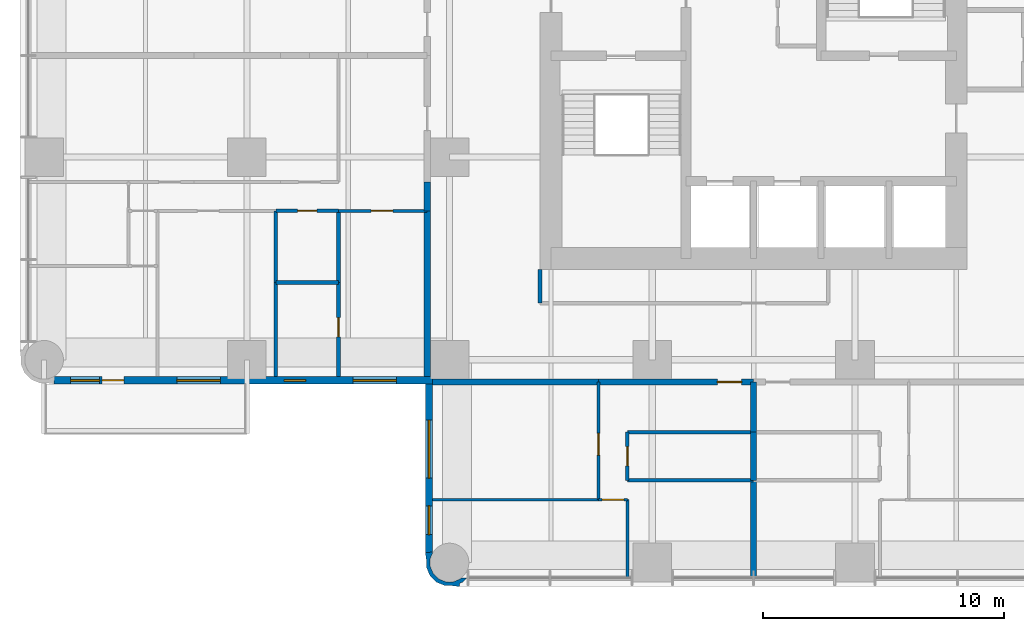
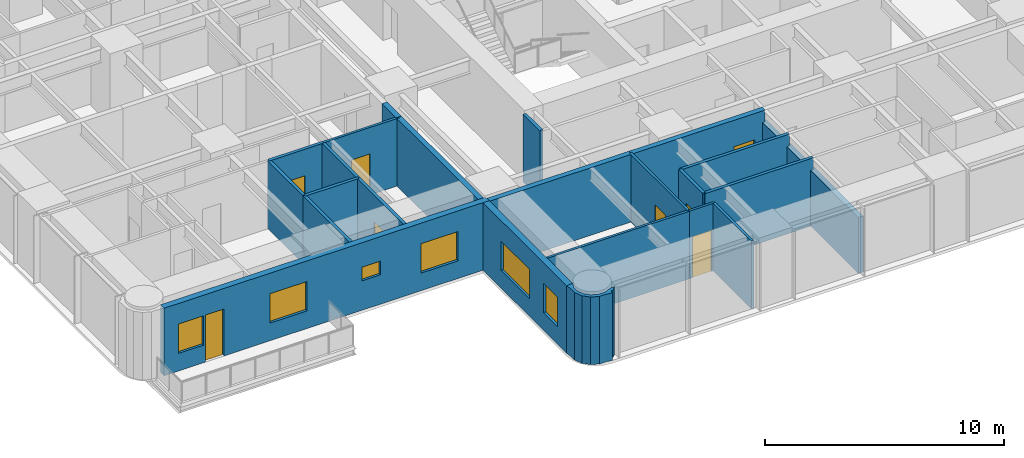
# One storey, part 6 of 14: 25 walls, 8 doors, 6 windows, 14 openings.
"""IFC4 building model written with IfcOpenShell, lengths in metres."""

from ifc_helpers import new_model, si_unit, direction, frame, frame_2d, origin, place, context, subcontext, project, spatial, polyline, rectangle, outline, extrude, material, layer, layer_set, type_object, element, fill, save


model = new_model("IFC4")

# Units and contexts
model_context = context("Model", 3, precision=1e-05, world=origin(), true_north=direction((0.0, 1.0)))
body_context = subcontext(model_context, "Body", "Model", "MODEL_VIEW")
ifc_project = project(units=[si_unit("LENGTHUNIT", "METRE"), si_unit("AREAUNIT", "SQUARE_METRE"), si_unit("VOLUMEUNIT", "CUBIC_METRE"), si_unit("PLANEANGLEUNIT", "RADIAN"), si_unit("MASSUNIT", "GRAM", prefix="KILO")], contexts=[model_context])

# Site, building, storey
site_placement = place(None, origin())
site = spatial("IfcSite", under=ifc_project, at=site_placement, CompositionType="ELEMENT")
building_placement = place(site_placement, origin())
building = spatial("IfcBuilding", under=site, at=building_placement, Name="Torre Alcanfor", CompositionType="ELEMENT")
storey_placement = place(building_placement, frame((0.0, 0.0, 126.89990234375)))
storey = spatial("IfcBuildingStorey", under=building, at=storey_placement, Name="L32", CompositionType="ELEMENT", Elevation=126.89990234375)

# Wall, opening, door
ifc_material_1 = material(Name="Concrete block masonry, hollow blocks NMX-C-404 9 MPa", Category="masonry")
ifc_layer_1 = layer(ifc_material_1, 0.25)
ifc_layer_set_1 = layer_set([ifc_layer_1], Name="Apartment entrance wall 250 EI 60")
wall_type_1 = type_object("IfcWallType", Name="Apartment entrance wall 250 EI 60", PredefinedType="PARTITIONING", material=ifc_layer_set_1)
wall_1_placement = place(storey_placement, frame((29.39990234375, 15.875, 0.0), z_axis=(0.0, 0.0, 1.0), x_axis=(-1.0, 0.0, 0.0)))
wall_1 = element("IfcWall", 1, at=wall_1_placement, inside=storey, type_object=wall_type_1, Name="Partition L32-CORR / L32-S2-LIVING", PredefinedType="PARTITIONING", context=body_context, shape_type="SweptSolid", body=[
    extrude(rectangle(XDim=6.428955078125, YDim=0.25, at=frame_2d((3.21435546875, 0.0))), origin(), (0.0, 0.0, 1.0), 3.4501953125),
])
opening_1_placement = place(wall_1_placement, frame((0.5, 0.0, 0.0)))
opening_1 = element("IfcOpeningElement", 2, at=opening_1_placement, cuts=wall_1, Name="Opening D-A1", PredefinedType="OPENING", context=body_context, shape_type="SweptSolid", body=[
    extrude(rectangle(XDim=1.0, YDim=2.10009765625, at=frame_2d((0.5, 1.050048828125))), frame((0.0, 0.135009765625, 0.0), z_axis=(0.0, -1.0, 0.0), x_axis=(1.0, 0.0, 0.0)), (0.0, 0.0, 1.0), 0.27001953125),
])
ifc_material_2 = material(Name="Galvanised steel sheet ASTM A653", Category="steel")
door_type_1 = type_object("IfcDoorType", Name="Apartment entrance door FD60 1000x2100", OperationType="SINGLE_SWING_LEFT", PredefinedType="DOOR", material=ifc_material_2)
door_1_placement = place(opening_1_placement, origin())
door_1 = element("IfcDoor", 3, at=door_1_placement, inside=storey, type_object=door_type_1, Name="Apartment entrance L32-S2", OperationType="SINGLE_SWING_LEFT", OverallHeight=2.10009765625, OverallWidth=1.0, PredefinedType="DOOR", context=body_context, shape_type="SweptSolid", body=[
    extrude(rectangle(XDim=1.0, YDim=2.10009765625, at=frame_2d((0.5, 1.050048828125))), frame((0.0, 0.02490234375, 0.0), z_axis=(0.0, -1.0, 0.0), x_axis=(1.0, 0.0, 0.0)), (0.0, 0.0, 1.0), 0.050048828125),
])
fill(opening_1, door_1)

# Walls
wall_2_placement = place(storey_placement, frame((22.970947265625, 15.875, 0.0), z_axis=(0.0, 0.0, 1.0), x_axis=(-1.0, 0.0, 0.0)))
element("IfcWall", 4, at=wall_2_placement, inside=storey, type_object=wall_type_1, Name="Partition L32-CORR / L32-S2-BED2", PredefinedType="PARTITIONING", context=body_context, shape_type="SweptSolid", body=[
    extrude(rectangle(XDim=6.870849609375, YDim=0.25, at=frame_2d((3.435546875, 0.0))), origin(), (0.0, 0.0, 1.0), 3.4501953125),
])
wall_3_placement = place(storey_placement, frame((15.875, 22.970947265625, 0.0), z_axis=(0.0, 0.0, 1.0), x_axis=(0.0, 1.0, 0.0)))
element("IfcWall", 5, at=wall_3_placement, inside=storey, type_object=wall_type_1, Name="Partition L32-CORR / L32-W1-HALL", PredefinedType="PARTITIONING", context=body_context, shape_type="SweptSolid", body=[
    extrude(rectangle(XDim=1.199951171875, YDim=0.25, at=frame_2d((0.60009765625, 0.0))), origin(), (0.0, 0.0, 1.0), 3.4501953125),
])
wall_4_placement = place(storey_placement, frame((15.875, 16.10009765625, 0.0), z_axis=(0.0, 0.0, 1.0), x_axis=(0.0, 1.0, 0.0)))
element("IfcWall", 6, at=wall_4_placement, inside=storey, type_object=wall_type_1, Name="Partition L32-CORR / L32-W1-SERV", PredefinedType="PARTITIONING", context=body_context, shape_type="SweptSolid", body=[
    extrude(rectangle(XDim=6.870849609375, YDim=0.25, at=frame_2d((3.435546875, 0.0))), origin(), (0.0, 0.0, 1.0), 3.4501953125),
])

# Wall, opening, door
ifc_material_3 = material(Name="Gypsum board on steel studs", Category="steel")
ifc_layer_2 = layer(ifc_material_3, 0.1201171875)
ifc_layer_set_2 = layer_set([ifc_layer_2], Name="Apartment partition 120")
wall_type_2 = type_object("IfcWallType", Name="Apartment partition 120", PredefinedType="PARTITIONING", material=ifc_layer_set_2)
wall_5_placement = place(storey_placement, frame((22.970947265625, 11.0, 0.0), z_axis=(0.0, 0.0, 1.0), x_axis=(0.0, 1.0, 0.0)))
wall_5 = element("IfcWall", 7, at=wall_5_placement, inside=storey, type_object=wall_type_2, Name="Partition L32-S2-LIVING / L32-S2-BED2", PredefinedType="PARTITIONING", context=body_context, shape_type="SweptSolid", body=[
    extrude(rectangle(XDim=4.875, YDim=0.1201171875, at=frame_2d((2.4375, 0.0))), origin(), (0.0, 0.0, 1.0), 3.4501953125),
])
opening_2_placement = place(wall_5_placement, frame((1.85009765625, 0.0, 0.0)))
opening_2 = element("IfcOpeningElement", 8, at=opening_2_placement, cuts=wall_5, Name="Opening D-R1", PredefinedType="OPENING", context=body_context, shape_type="SweptSolid", body=[
    extrude(rectangle(XDim=0.89990234375, YDim=2.10009765625, at=frame_2d((0.449951171875, 1.050048828125))), frame((0.0, 0.070068359375, 0.0), z_axis=(0.0, -1.0, 0.0), x_axis=(1.0, 0.0, 0.0)), (0.0, 0.0, 1.0), 0.14013671875),
])
ifc_material_4 = material(Name="Timber", Category="wood")
door_type_2 = type_object("IfcDoorType", Name="Internal door 900x2100", OperationType="SINGLE_SWING_LEFT", PredefinedType="DOOR", material=ifc_material_4)
door_2_placement = place(opening_2_placement, origin())
door_2 = element("IfcDoor", 9, at=door_2_placement, inside=storey, type_object=door_type_2, Name="Door L32-S2 bed2", OperationType="SINGLE_SWING_LEFT", OverallHeight=2.10009765625, OverallWidth=0.89990234375, PredefinedType="DOOR", context=body_context, shape_type="SweptSolid", body=[
    extrude(rectangle(XDim=0.89990234375, YDim=2.10009765625, at=frame_2d((0.449951171875, 1.050048828125))), frame((0.0, 0.02490234375, 0.0), z_axis=(0.0, -1.0, 0.0), x_axis=(1.0, 0.0, 0.0)), (0.0, 0.0, 1.0), 0.050048828125),
])
fill(opening_2, door_2)

# Wall
wall_6_placement = place(storey_placement, frame((24.1708984375, 7.75, 0.0), z_axis=(0.0, 0.0, 1.0), x_axis=(0.0, 1.0, 0.0)))
element("IfcWall", 10, at=wall_6_placement, inside=storey, type_object=wall_type_2, Name="Partition L32-S2-LIVING / L32-S2-MASTER", PredefinedType="PARTITIONING", context=body_context, shape_type="SweptSolid", body=[
    extrude(rectangle(XDim=3.25, YDim=0.1201171875, at=frame_2d((1.625, 0.0))), origin(), (0.0, 0.0, 1.0), 3.4501953125),
])

# Wall, opening, door
wall_7_placement = place(storey_placement, frame((24.1708984375, 11.0, 0.0), z_axis=(0.0, 0.0, 1.0), x_axis=(-1.0, 0.0, 0.0)))
wall_7 = element("IfcWall", 11, at=wall_7_placement, inside=storey, type_object=wall_type_2, Name="Partition L32-S2-LIVING / L32-S2-MASTER", PredefinedType="PARTITIONING", context=body_context, shape_type="SweptSolid", body=[
    extrude(rectangle(XDim=1.199951171875, YDim=0.1201171875, at=frame_2d((0.60009765625, 0.0))), origin(), (0.0, 0.0, 1.0), 3.4501953125),
])
opening_3_placement = place(wall_7_placement, frame((0.15087890625, 0.0, 0.0)))
opening_3 = element("IfcOpeningElement", 12, at=opening_3_placement, cuts=wall_7, Name="Opening D-R1", PredefinedType="OPENING", context=body_context, shape_type="SweptSolid", body=[
    extrude(rectangle(XDim=0.89990234375, YDim=2.10009765625, at=frame_2d((0.449951171875, 1.050048828125))), frame((0.0, 0.070068359375, 0.0), z_axis=(0.0, -1.0, 0.0), x_axis=(1.0, 0.0, 0.0)), (0.0, 0.0, 1.0), 0.14013671875),
])
door_3_placement = place(opening_3_placement, origin())
door_3 = element("IfcDoor", 13, at=door_3_placement, inside=storey, type_object=door_type_2, Name="Door L32-S2 master", OperationType="SINGLE_SWING_LEFT", OverallHeight=2.10009765625, OverallWidth=0.89990234375, PredefinedType="DOOR", context=body_context, shape_type="SweptSolid", body=[
    extrude(rectangle(XDim=0.89990234375, YDim=2.10009765625, at=frame_2d((0.449951171875, 1.050048828125))), frame((0.0, 0.02490234375, 0.0), z_axis=(0.0, -1.0, 0.0), x_axis=(1.0, 0.0, 0.0)), (0.0, 0.0, 1.0), 0.050048828125),
])
fill(opening_3, door_3)

# Wall
wall_8_placement = place(storey_placement, frame((22.970947265625, 11.0, 0.0), z_axis=(0.0, 0.0, 1.0), x_axis=(-1.0, 0.0, 0.0)))
element("IfcWall", 14, at=wall_8_placement, inside=storey, type_object=wall_type_2, Name="Partition L32-S2-BED2 / L32-S2-MASTER", PredefinedType="PARTITIONING", context=body_context, shape_type="SweptSolid", body=[
    extrude(rectangle(XDim=6.870849609375, YDim=0.1201171875, at=frame_2d((3.435546875, 0.0))), origin(), (0.0, 0.0, 1.0), 3.4501953125),
])

# Wall, opening, door
wall_9_placement = place(storey_placement, frame((12.199951171875, 22.970947265625, 0.0), z_axis=(0.0, 0.0, 1.0), x_axis=(1.0, 0.0, 0.0)))
wall_9 = element("IfcWall", 15, at=wall_9_placement, inside=storey, type_object=wall_type_2, Name="Partition L32-W1-HALL / L32-W1-SERV", PredefinedType="PARTITIONING", context=body_context, shape_type="SweptSolid", body=[
    extrude(rectangle(XDim=3.675048828125, YDim=0.1201171875, at=frame_2d((1.83740234375, 0.0))), origin(), (0.0, 0.0, 1.0), 3.4501953125),
])
opening_4_placement = place(wall_9_placement, frame((1.35009765625, 0.0, 0.0)))
opening_4 = element("IfcOpeningElement", 16, at=opening_4_placement, cuts=wall_9, Name="Opening D-R1", PredefinedType="OPENING", context=body_context, shape_type="SweptSolid", body=[
    extrude(rectangle(XDim=0.89990234375, YDim=2.10009765625, at=frame_2d((0.449951171875, 1.050048828125))), frame((0.0, 0.070068359375, 0.0), z_axis=(0.0, -1.0, 0.0), x_axis=(1.0, 0.0, 0.0)), (0.0, 0.0, 1.0), 0.14013671875),
])
door_4_placement = place(opening_4_placement, frame((0.89990234375, 0.0, 0.0), z_axis=(0.0, 0.0, 1.0), x_axis=(-1.0, 0.0, 0.0)))
door_4 = element("IfcDoor", 17, at=door_4_placement, inside=storey, type_object=door_type_2, Name="Door L32-W1 serv", OperationType="SINGLE_SWING_RIGHT", OverallHeight=2.10009765625, OverallWidth=0.89990234375, PredefinedType="DOOR", context=body_context, shape_type="SweptSolid", body=[
    extrude(rectangle(XDim=0.89990234375, YDim=2.10009765625, at=frame_2d((0.449951171875, 1.050048828125))), frame((0.0, 0.025146484375, 0.0), z_axis=(0.0, -1.0, 0.0), x_axis=(1.0, 0.0, 0.0)), (0.0, 0.0, 1.0), 0.050048828125),
])
fill(opening_4, door_4)

# Wall, openings, door, windows
ifc_material_5 = material(Name="Limestone cladding", Category="masonry")
ifc_layer_3 = layer(ifc_material_5, 0.0400390625, Name="Facing")
ifc_material_6 = material(Name="Ventilated air cavity")
ifc_layer_4 = layer(ifc_material_6, 0.02001953125, ventilated=True, Name="Ventilated joint")
ifc_material_7 = material(Name="Mineral wool insulation", Category="insulation")
ifc_layer_5 = layer(ifc_material_7, 0.10009765625, Name="Insulation")
ifc_material_8 = material(Name="Concrete f'c 35 MPa", Category="concrete")
ifc_layer_6 = layer(ifc_material_8, 0.139892578125, Name="Backing")
ifc_layer_set_3 = layer_set([ifc_layer_3, ifc_layer_4, ifc_layer_5, ifc_layer_6], Name="External wall stone-clad 300")
wall_type_3 = type_object("IfcWallType", Name="External wall stone-clad 300", PredefinedType="SOLIDWALL", material=ifc_layer_set_3)
wall_10_placement = place(storey_placement, frame((0.39990234375, 15.949951171875, 0.0), z_axis=(0.0, 0.0, 1.0), x_axis=(1.0, 0.0, 0.0)))
wall_10 = element("IfcWall", 18, at=wall_10_placement, inside=storey, type_object=wall_type_3, Name="External wall L32 3", PredefinedType="SOLIDWALL", context=body_context, shape_type="SweptSolid", body=[
    extrude(rectangle(XDim=15.7001953125, YDim=0.300048828125, at=frame_2d((7.85009765625, 0.0))), origin(), (0.0, 0.0, 1.0), 3.4501953125),
])
opening_5_placement = place(wall_10_placement, frame((12.39990234375, 0.0, 0.89990234375)))
opening_5 = element("IfcOpeningElement", 19, at=opening_5_placement, cuts=wall_10, Name="Opening W2", PredefinedType="OPENING", context=body_context, shape_type="SweptSolid", body=[
    extrude(rectangle(XDim=1.800048828125, YDim=1.5, at=frame_2d((0.89990234375, 0.75))), frame((0.0, 0.159912109375, 0.0), z_axis=(0.0, -1.0, 0.0), x_axis=(1.0, 0.0, 0.0)), (0.0, 0.0, 1.0), 0.320068359375),
])
opening_6_placement = place(wall_10_placement, frame((9.550048828125, 0.0, 1.5)))
opening_6 = element("IfcOpeningElement", 20, at=opening_6_placement, cuts=wall_10, Name="Opening W3", PredefinedType="OPENING", context=body_context, shape_type="SweptSolid", body=[
    extrude(rectangle(XDim=0.89990234375, YDim=0.699951171875, at=frame_2d((0.449951171875, 0.35009765625))), frame((0.0, 0.159912109375, 0.0), z_axis=(0.0, -1.0, 0.0), x_axis=(1.0, 0.0, 0.0)), (0.0, 0.0, 1.0), 0.320068359375),
])
opening_7_placement = place(wall_10_placement, frame((5.10009765625, 0.0, 0.89990234375)))
opening_7 = element("IfcOpeningElement", 21, at=opening_7_placement, cuts=wall_10, Name="Opening W2", PredefinedType="OPENING", context=body_context, shape_type="SweptSolid", body=[
    extrude(rectangle(XDim=1.800048828125, YDim=1.5, at=frame_2d((0.89990234375, 0.75))), frame((0.0, 0.159912109375, 0.0), z_axis=(0.0, -1.0, 0.0), x_axis=(1.0, 0.0, 0.0)), (0.0, 0.0, 1.0), 0.320068359375),
])
opening_8_placement = place(wall_10_placement, frame((2.0, 0.0, 0.0)))
opening_8 = element("IfcOpeningElement", 22, at=opening_8_placement, cuts=wall_10, Name="Opening D-B1", PredefinedType="OPENING", context=body_context, shape_type="SweptSolid", body=[
    extrude(rectangle(XDim=0.89990234375, YDim=2.39990234375, at=frame_2d((0.449951171875, 1.199951171875))), frame((0.0, 0.159912109375, 0.0), z_axis=(0.0, -1.0, 0.0), x_axis=(1.0, 0.0, 0.0)), (0.0, 0.0, 1.0), 0.320068359375),
])
opening_9_placement = place(wall_10_placement, frame((0.699951171875, 0.0, 0.89990234375)))
opening_9 = element("IfcOpeningElement", 23, at=opening_9_placement, cuts=wall_10, Name="Opening W4", PredefinedType="OPENING", context=body_context, shape_type="SweptSolid", body=[
    extrude(rectangle(XDim=1.199951171875, YDim=1.5, at=frame_2d((0.60009765625, 0.75))), frame((0.0, 0.159912109375, 0.0), z_axis=(0.0, -1.0, 0.0), x_axis=(1.0, 0.0, 0.0)), (0.0, 0.0, 1.0), 0.320068359375),
])
ifc_material_9 = material(Name="Aluminium and glass", Category="aluminium")
door_type_3 = type_object("IfcDoorType", Name="Balcony door glazed 900x2400", OperationType="SINGLE_SWING_LEFT", PredefinedType="DOOR", material=ifc_material_9)
door_5_placement = place(opening_8_placement, origin())
door_5 = element("IfcDoor", 24, at=door_5_placement, inside=storey, type_object=door_type_3, Name="Balcony door L32-W1", OperationType="SINGLE_SWING_RIGHT", OverallHeight=2.39990234375, OverallWidth=0.89990234375, PredefinedType="DOOR", context=body_context, shape_type="SweptSolid", body=[
    extrude(rectangle(XDim=0.89990234375, YDim=2.39990234375, at=frame_2d((0.449951171875, 1.199951171875))), frame((0.0, 0.02490234375, 0.0), z_axis=(0.0, -1.0, 0.0), x_axis=(1.0, 0.0, 0.0)), (0.0, 0.0, 1.0), 0.050048828125),
])
fill(opening_8, door_5)
ifc_material_10 = material(Name="Aluminium frame with clear double glazing", Category="aluminium")
window_type_1 = type_object("IfcWindowType", Name="Window bathroom 900x700", PartitioningType="SINGLE_PANEL", PredefinedType="WINDOW", material=ifc_material_10)
window_1_placement = place(opening_6_placement, origin())
window_1 = element("IfcWindow", 25, at=window_1_placement, inside=storey, type_object=window_type_1, Name="Window W3 L32-W1", OverallHeight=0.699951171875, OverallWidth=0.89990234375, PartitioningType="SINGLE_PANEL", PredefinedType="WINDOW", context=body_context, shape_type="SweptSolid", body=[
    extrude(rectangle(XDim=0.89990234375, YDim=0.699951171875, at=frame_2d((0.449951171875, 0.35009765625))), frame((0.0, 0.030029296875, 0.0), z_axis=(0.0, -1.0, 0.0), x_axis=(1.0, 0.0, 0.0)), (0.0, 0.0, 1.0), 0.06005859375),
])
fill(opening_6, window_1)
ifc_material_11 = material(Name="Aluminium frame with clear double glazing", Category="aluminium")
window_type_2 = type_object("IfcWindowType", Name="Window bedroom 1200x1500", PartitioningType="SINGLE_PANEL", PredefinedType="WINDOW", material=ifc_material_11)
window_2_placement = place(opening_9_placement, origin())
window_2 = element("IfcWindow", 26, at=window_2_placement, inside=storey, type_object=window_type_2, Name="Window W4 L32-W1", OverallHeight=1.5, OverallWidth=1.199951171875, PartitioningType="SINGLE_PANEL", PredefinedType="WINDOW", context=body_context, shape_type="SweptSolid", body=[
    extrude(rectangle(XDim=1.199951171875, YDim=1.5, at=frame_2d((0.60009765625, 0.75))), frame((0.0, 0.030029296875, 0.0), z_axis=(0.0, -1.0, 0.0), x_axis=(1.0, 0.0, 0.0)), (0.0, 0.0, 1.0), 0.06005859375),
])
fill(opening_9, window_2)
ifc_material_12 = material(Name="Aluminium frame with clear double glazing", Category="aluminium")
window_type_3 = type_object("IfcWindowType", Name="Window bedroom 1800x1500", PartitioningType="SINGLE_PANEL", PredefinedType="WINDOW", material=ifc_material_12)
window_3_placement = place(opening_5_placement, origin())
window_3 = element("IfcWindow", 27, at=window_3_placement, inside=storey, type_object=window_type_3, Name="Window W2 L32-W1", OverallHeight=1.5, OverallWidth=1.800048828125, PartitioningType="SINGLE_PANEL", PredefinedType="WINDOW", context=body_context, shape_type="SweptSolid", body=[
    extrude(rectangle(XDim=1.800048828125, YDim=1.5, at=frame_2d((0.89990234375, 0.75))), frame((0.0, 0.030029296875, 0.0), z_axis=(0.0, -1.0, 0.0), x_axis=(1.0, 0.0, 0.0)), (0.0, 0.0, 1.0), 0.06005859375),
])
fill(opening_5, window_3)
window_4_placement = place(opening_7_placement, origin())
window_4 = element("IfcWindow", 28, at=window_4_placement, inside=storey, type_object=window_type_3, Name="Window W2 L32-W1", OverallHeight=1.5, OverallWidth=1.800048828125, PartitioningType="SINGLE_PANEL", PredefinedType="WINDOW", context=body_context, shape_type="SweptSolid", body=[
    extrude(rectangle(XDim=1.800048828125, YDim=1.5, at=frame_2d((0.89990234375, 0.75))), frame((0.0, 0.030029296875, 0.0), z_axis=(0.0, -1.0, 0.0), x_axis=(1.0, 0.0, 0.0)), (0.0, 0.0, 1.0), 0.06005859375),
])
fill(opening_7, window_4)

# Wall, openings, windows
wall_11_placement = place(storey_placement, frame((15.949951171875, 15.800048828125, 0.0), z_axis=(0.0, 0.0, 1.0), x_axis=(0.0, -1.0, 0.0)))
wall_11 = element("IfcWall", 29, at=wall_11_placement, inside=storey, type_object=wall_type_3, Name="External wall L32 4", PredefinedType="SOLIDWALL", context=body_context, shape_type="SweptSolid", body=[
    extrude(rectangle(XDim=7.0, YDim=0.300048828125, at=frame_2d((3.5, 0.0))), origin(), (0.0, 0.0, 1.0), 3.4501953125),
])
opening_10_placement = place(wall_11_placement, frame((1.5, 0.0, 0.89990234375)))
opening_10 = element("IfcOpeningElement", 30, at=opening_10_placement, cuts=wall_11, Name="Opening W1", PredefinedType="OPENING", context=body_context, shape_type="SweptSolid", body=[
    extrude(rectangle(XDim=2.39990234375, YDim=1.5, at=frame_2d((1.199951171875, 0.75))), frame((0.0, 0.159912109375, 0.0), z_axis=(0.0, -1.0, 0.0), x_axis=(1.0, 0.0, 0.0)), (0.0, 0.0, 1.0), 0.320068359375),
])
opening_11_placement = place(wall_11_placement, frame((5.050048828125, 0.0, 0.89990234375)))
opening_11 = element("IfcOpeningElement", 31, at=opening_11_placement, cuts=wall_11, Name="Opening W4", PredefinedType="OPENING", context=body_context, shape_type="SweptSolid", body=[
    extrude(rectangle(XDim=1.199951171875, YDim=1.5, at=frame_2d((0.60009765625, 0.75))), frame((0.0, 0.159912109375, 0.0), z_axis=(0.0, -1.0, 0.0), x_axis=(1.0, 0.0, 0.0)), (0.0, 0.0, 1.0), 0.320068359375),
])
window_5_placement = place(opening_11_placement, origin())
window_5 = element("IfcWindow", 32, at=window_5_placement, inside=storey, type_object=window_type_2, Name="Window W4 L32-S2", OverallHeight=1.5, OverallWidth=1.199951171875, PartitioningType="SINGLE_PANEL", PredefinedType="WINDOW", context=body_context, shape_type="SweptSolid", body=[
    extrude(rectangle(XDim=1.199951171875, YDim=1.5, at=frame_2d((0.60009765625, 0.75))), frame((0.0, 0.030029296875, 0.0), z_axis=(0.0, -1.0, 0.0), x_axis=(1.0, 0.0, 0.0)), (0.0, 0.0, 1.0), 0.06005859375),
])
fill(opening_11, window_5)
ifc_material_13 = material(Name="Aluminium frame with clear double glazing", Category="aluminium")
window_type_4 = type_object("IfcWindowType", Name="Window bedroom 2400x1500", PartitioningType="SINGLE_PANEL", PredefinedType="WINDOW", material=ifc_material_13)
window_6_placement = place(opening_10_placement, origin())
window_6 = element("IfcWindow", 33, at=window_6_placement, inside=storey, type_object=window_type_4, Name="Window W1 L32-S2", OverallHeight=1.5, OverallWidth=2.39990234375, PartitioningType="SINGLE_PANEL", PredefinedType="WINDOW", context=body_context, shape_type="SweptSolid", body=[
    extrude(rectangle(XDim=2.39990234375, YDim=1.5, at=frame_2d((1.199951171875, 0.75))), frame((0.0, 0.030029296875, 0.0), z_axis=(0.0, -1.0, 0.0), x_axis=(1.0, 0.0, 0.0)), (0.0, 0.0, 1.0), 0.06005859375),
])
fill(opening_10, window_6)

# Walls
ifc_material_14 = material(Name="Concrete block masonry, hollow blocks NMX-C-404 9 MPa", Category="masonry")
ifc_layer_7 = layer(ifc_material_14, 0.25)
ifc_layer_set_4 = layer_set([ifc_layer_7], Name="Party wall 250 EI 60")
wall_type_4 = type_object("IfcWallType", Name="Party wall 250 EI 60", PredefinedType="PARTITIONING", material=ifc_layer_set_4)
wall_12_placement = place(storey_placement, frame((29.39990234375, 13.800048828125, 0.0), z_axis=(0.0, 0.0, 1.0), x_axis=(0.0, -1.0, 0.0)))
element("IfcWall", 34, at=wall_12_placement, inside=storey, type_object=wall_type_4, Name="Partition L32-S1-BATH / L32-S2-BATH", PredefinedType="PARTITIONING", context=body_context, shape_type="SweptSolid", body=[
    extrude(rectangle(XDim=2.0, YDim=0.25, at=frame_2d((1.0, 0.0))), origin(), (0.0, 0.0, 1.0), 2.84814453125),
])
wall_13_placement = place(storey_placement, frame((29.39990234375, 7.75, 0.0), z_axis=(0.0, 0.0, 1.0), x_axis=(0.0, 1.0, 0.0)))
element("IfcWall", 35, at=wall_13_placement, inside=storey, type_object=wall_type_4, Name="Partition L32-S1-LIVING / L32-S2-LIVING", PredefinedType="PARTITIONING", context=body_context, shape_type="SweptSolid", body=[
    extrude(rectangle(XDim=4.050048828125, YDim=0.25, at=frame_2d((2.02490234375, 0.0))), origin(), (0.0, 0.0, 1.0), 2.84814453125),
])
wall_14_placement = place(storey_placement, frame((29.39990234375, 13.800048828125, 0.0), z_axis=(0.0, 0.0, 1.0), x_axis=(0.0, 1.0, 0.0)))
element("IfcWall", 36, at=wall_14_placement, inside=storey, type_object=wall_type_4, Name="Partition L32-S1-LIVING / L32-S2-LIVING", PredefinedType="PARTITIONING", context=body_context, shape_type="SweptSolid", body=[
    extrude(rectangle(XDim=2.074951171875, YDim=0.25, at=frame_2d((1.03759765625, 0.0))), origin(), (0.0, 0.0, 1.0), 2.84814453125),
])
ifc_material_15 = material(Name="Concrete block masonry, hollow blocks NMX-C-404 9 MPa", Category="masonry")
ifc_layer_8 = layer(ifc_material_15, 0.14990234375)
ifc_layer_set_5 = layer_set([ifc_layer_8], Name="Residents' room partition 150")
wall_type_5 = type_object("IfcWallType", Name="Residents' room partition 150", PredefinedType="PARTITIONING", material=ifc_layer_set_5)
wall_15_placement = place(storey_placement, frame((20.550048828125, 20.550048828125, 0.0), z_axis=(0.0, 0.0, 1.0), x_axis=(0.0, -1.0, 0.0)))
element("IfcWall", 37, at=wall_15_placement, inside=storey, type_object=wall_type_5, Name="Partition L32-CORR / L32-G04", PredefinedType="PARTITIONING", context=body_context, shape_type="SweptSolid", body=[
    extrude(rectangle(XDim=1.400146484375, YDim=0.14990234375, at=frame_2d((0.7001953125, 0.0))), origin(), (0.0, 0.0, 1.0), 3.4501953125),
])
ifc_layer_9 = layer(ifc_material_5, 0.0400390625, Name="Facing")
ifc_layer_10 = layer(ifc_material_6, 0.02001953125, ventilated=True, Name="Ventilated joint")
ifc_layer_11 = layer(ifc_material_7, 0.10009765625, Name="Insulation")
ifc_layer_12 = layer(ifc_material_8, 0.139892578125, Name="Backing")
ifc_layer_set_6 = layer_set([ifc_layer_9, ifc_layer_10, ifc_layer_11, ifc_layer_12], Name="Rounded corner pier stone-clad 300")
wall_type_6 = type_object("IfcWallType", Name="Rounded corner pier stone-clad 300", PredefinedType="SOLIDWALL", material=ifc_layer_set_6)
wall_16_placement = place(storey_placement, frame((15.982940512, 8.726823795, 0.0), z_axis=(0.0, 0.0, 1.0), x_axis=(-0.343276641956, -0.93923434088, 0.0)))
element("IfcWall", 38, at=wall_16_placement, inside=storey, type_object=wall_type_6, Name="Corner pier L32 15", PredefinedType="SOLIDWALL", context=body_context, shape_type="SweptSolid", body=[
    extrude(outline(polyline([(0.8285188621172053, 1.5985593448955209), (0.6965961152022397, 1.5690588556644411), (0.6041961706613557, 1.669674810951586), (0.3940973255728224, 1.767303623446145), (0.47128428534856764, 1.55611347990365), (0.5085447362659081, 1.5387992791780876), (0.7240402358503313, 1.3040772160031127), (0.8334093808094493, 1.0048338530031606), (0.8200582319080854, 0.6864716314609828), (0.6857640531711582, 0.3974683020769049), (0.4510419899961833, 0.18197280249248177), (0.15179862699623123, 0.07260365753336384), (-0.11622928371084919, 0.08407628105020303), (-0.1273371975026375, 0.0781969477675098), (-0.14614022874094865, 0.07132471030647711), (-0.0059930226407584886, -0.19691459363495123), (0.26574754989690047, -0.054967852634112954), (0.535410534485363, 0.043590089489965705), (0.8166395849446566, 0.30181686768145743), (0.9775598034528271, 0.6481198820896807), (0.9938114202888776, 1.0296668379252687), (0.8951696703908839, 1.299559127772735), (0.8285188621172053, 1.5985593448955209)])), origin(), (0.0, 0.0, 1.0), 3.4501953125),
])
ifc_material_16 = material(Name="Cement board on steel studs", Category="steel")
ifc_layer_13 = layer(ifc_material_16, 0.14990234375)
ifc_layer_set_7 = layer_set([ifc_layer_13], Name="Wet area partition 150")
wall_type_7 = type_object("IfcWallType", Name="Wet area partition 150", PredefinedType="PARTITIONING", material=ifc_layer_set_7)
wall_17_placement = place(storey_placement, frame((29.39990234375, 11.800048828125, 0.0), z_axis=(0.0, 0.0, 1.0), x_axis=(-1.0, 0.0, 0.0)))
element("IfcWall", 39, at=wall_17_placement, inside=storey, type_object=wall_type_7, Name="Partition L32-S2-BATH / L32-S2-LIVING", PredefinedType="PARTITIONING", context=body_context, shape_type="SweptSolid", body=[
    extrude(rectangle(XDim=5.22900390625, YDim=0.14990234375, at=frame_2d((2.614501953125, 0.0))), origin(), (0.0, 0.0, 1.0), 3.4501953125),
])

# Wall, opening, door
wall_18_placement = place(storey_placement, frame((24.1708984375, 11.800048828125, 0.0), z_axis=(0.0, 0.0, 1.0), x_axis=(0.0, 1.0, 0.0)))
wall_18 = element("IfcWall", 40, at=wall_18_placement, inside=storey, type_object=wall_type_7, Name="Partition L32-S2-BATH / L32-S2-LIVING", PredefinedType="PARTITIONING", context=body_context, shape_type="SweptSolid", body=[
    extrude(rectangle(XDim=2.0, YDim=0.14990234375, at=frame_2d((1.0, 0.0))), origin(), (0.0, 0.0, 1.0), 3.4501953125),
])
opening_12_placement = place(wall_18_placement, frame((0.60009765625, 0.0, 0.0)))
opening_12 = element("IfcOpeningElement", 41, at=opening_12_placement, cuts=wall_18, Name="Opening D-R2", PredefinedType="OPENING", context=body_context, shape_type="SweptSolid", body=[
    extrude(rectangle(XDim=0.800048828125, YDim=2.10009765625, at=frame_2d((0.39990234375, 1.050048828125))), frame((0.0, 0.0849609375, 0.0), z_axis=(0.0, -1.0, 0.0), x_axis=(1.0, 0.0, 0.0)), (0.0, 0.0, 1.0), 0.169921875),
])
ifc_material_17 = material(Name="Timber", Category="wood")
door_type_4 = type_object("IfcDoorType", Name="Bathroom door 800x2100", OperationType="SINGLE_SWING_LEFT", PredefinedType="DOOR", material=ifc_material_17)
door_6_placement = place(opening_12_placement, frame((0.800048828125, 0.0, 0.0), z_axis=(0.0, 0.0, 1.0), x_axis=(-1.0, 0.0, 0.0)))
door_6 = element("IfcDoor", 42, at=door_6_placement, inside=storey, type_object=door_type_4, Name="Door L32-S2 bath", OperationType="SINGLE_SWING_RIGHT", OverallHeight=2.10009765625, OverallWidth=0.800048828125, PredefinedType="DOOR", context=body_context, shape_type="SweptSolid", body=[
    extrude(rectangle(XDim=0.800048828125, YDim=2.10009765625, at=frame_2d((0.400146484375, 1.050048828125))), frame((0.0, 0.025146484375, 0.0), z_axis=(0.0, -1.0, 0.0), x_axis=(1.0, 0.0, 0.0)), (0.0, 0.0, 1.0), 0.050048828125),
])
fill(opening_12, door_6)

# Wall
wall_19_placement = place(storey_placement, frame((24.1708984375, 13.800048828125, 0.0), z_axis=(0.0, 0.0, 1.0), x_axis=(1.0, 0.0, 0.0)))
element("IfcWall", 43, at=wall_19_placement, inside=storey, type_object=wall_type_7, Name="Partition L32-S2-BATH / L32-S2-LIVING", PredefinedType="PARTITIONING", context=body_context, shape_type="SweptSolid", body=[
    extrude(rectangle(XDim=5.22900390625, YDim=0.14990234375, at=frame_2d((2.614501953125, 0.0))), origin(), (0.0, 0.0, 1.0), 3.4501953125),
])

# Wall, opening, door
wall_20_placement = place(storey_placement, frame((9.60009765625, 22.970947265625, 0.0), z_axis=(0.0, 0.0, 1.0), x_axis=(1.0, 0.0, 0.0)))
wall_20 = element("IfcWall", 44, at=wall_20_placement, inside=storey, type_object=wall_type_7, Name="Partition L32-W1-HALL / L32-W1-BATH1", PredefinedType="PARTITIONING", context=body_context, shape_type="SweptSolid", body=[
    extrude(rectangle(XDim=2.599853515625, YDim=0.14990234375, at=frame_2d((1.2998046875, 0.0))), origin(), (0.0, 0.0, 1.0), 3.4501953125),
])
opening_13_placement = place(wall_20_placement, frame((0.89990234375, 0.0, 0.0)))
opening_13 = element("IfcOpeningElement", 45, at=opening_13_placement, cuts=wall_20, Name="Opening D-R2", PredefinedType="OPENING", context=body_context, shape_type="SweptSolid", body=[
    extrude(rectangle(XDim=0.800048828125, YDim=2.10009765625, at=frame_2d((0.39990234375, 1.050048828125))), frame((0.0, 0.0849609375, 0.0), z_axis=(0.0, -1.0, 0.0), x_axis=(1.0, 0.0, 0.0)), (0.0, 0.0, 1.0), 0.169921875),
])
door_7_placement = place(opening_13_placement, frame((0.800048828125, 0.0, 0.0), z_axis=(0.0, 0.0, 1.0), x_axis=(-1.0, 0.0, 0.0)))
door_7 = element("IfcDoor", 46, at=door_7_placement, inside=storey, type_object=door_type_4, Name="Door L32-W1 bath1", OperationType="SINGLE_SWING_RIGHT", OverallHeight=2.10009765625, OverallWidth=0.800048828125, PredefinedType="DOOR", context=body_context, shape_type="SweptSolid", body=[
    extrude(rectangle(XDim=0.800048828125, YDim=2.10009765625, at=frame_2d((0.400146484375, 1.050048828125))), frame((0.0, 0.025146484375, 0.0), z_axis=(0.0, -1.0, 0.0), x_axis=(1.0, 0.0, 0.0)), (0.0, 0.0, 1.0), 0.050048828125),
])
fill(opening_13, door_7)

# Wall
wall_21_placement = place(storey_placement, frame((12.199951171875, 22.970947265625, 0.0), z_axis=(0.0, 0.0, 1.0), x_axis=(0.0, -1.0, 0.0)))
element("IfcWall", 47, at=wall_21_placement, inside=storey, type_object=wall_type_7, Name="Partition L32-W1-SERV / L32-W1-BATH1", PredefinedType="PARTITIONING", context=body_context, shape_type="SweptSolid", body=[
    extrude(rectangle(XDim=2.970947265625, YDim=0.14990234375, at=frame_2d((1.4853515625, 0.0))), origin(), (0.0, 0.0, 1.0), 3.4501953125),
])

# Wall, opening, door
wall_22_placement = place(storey_placement, frame((12.199951171875, 20.0, 0.0), z_axis=(0.0, 0.0, 1.0), x_axis=(0.0, -1.0, 0.0)))
wall_22 = element("IfcWall", 48, at=wall_22_placement, inside=storey, type_object=wall_type_7, Name="Partition L32-W1-SERV / L32-W1-SBATH", PredefinedType="PARTITIONING", context=body_context, shape_type="SweptSolid", body=[
    extrude(rectangle(XDim=3.89990234375, YDim=0.14990234375, at=frame_2d((1.949951171875, 0.0))), origin(), (0.0, 0.0, 1.0), 3.4501953125),
])
opening_14_placement = place(wall_22_placement, frame((1.449951171875, 0.0, 0.0)))
opening_14 = element("IfcOpeningElement", 49, at=opening_14_placement, cuts=wall_22, Name="Opening D-R2", PredefinedType="OPENING", context=body_context, shape_type="SweptSolid", body=[
    extrude(rectangle(XDim=0.800048828125, YDim=2.10009765625, at=frame_2d((0.39990234375, 1.050048828125))), frame((0.0, 0.0849609375, 0.0), z_axis=(0.0, -1.0, 0.0), x_axis=(1.0, 0.0, 0.0)), (0.0, 0.0, 1.0), 0.169921875),
])
door_8_placement = place(opening_14_placement, frame((0.800048828125, 0.0, 0.0), z_axis=(0.0, 0.0, 1.0), x_axis=(-1.0, 0.0, 0.0)))
door_8 = element("IfcDoor", 50, at=door_8_placement, inside=storey, type_object=door_type_4, Name="Door L32-W1 sbath", OperationType="SINGLE_SWING_RIGHT", OverallHeight=2.10009765625, OverallWidth=0.800048828125, PredefinedType="DOOR", context=body_context, shape_type="SweptSolid", body=[
    extrude(rectangle(XDim=0.800048828125, YDim=2.10009765625, at=frame_2d((0.400146484375, 1.050048828125))), frame((0.0, 0.025146484375, 0.0), z_axis=(0.0, -1.0, 0.0), x_axis=(1.0, 0.0, 0.0)), (0.0, 0.0, 1.0), 0.050048828125),
])
fill(opening_14, door_8)

# Walls
wall_23_placement = place(storey_placement, frame((9.60009765625, 20.0, 0.0), z_axis=(0.0, 0.0, 1.0), x_axis=(1.0, 0.0, 0.0)))
element("IfcWall", 51, at=wall_23_placement, inside=storey, type_object=wall_type_7, Name="Partition L32-W1-BATH1 / L32-W1-SBATH", PredefinedType="PARTITIONING", context=body_context, shape_type="SweptSolid", body=[
    extrude(rectangle(XDim=2.599853515625, YDim=0.14990234375, at=frame_2d((1.2998046875, 0.0))), origin(), (0.0, 0.0, 1.0), 3.4501953125),
])
wall_24_placement = place(storey_placement, frame((9.60009765625, 22.970947265625, 0.0), z_axis=(0.0, 0.0, 1.0), x_axis=(0.0, -1.0, 0.0)))
element("IfcWall", 52, at=wall_24_placement, inside=storey, type_object=wall_type_7, Name="Partition L32-W1-BATH1 / L32-W1-BED3", PredefinedType="PARTITIONING", context=body_context, shape_type="SweptSolid", body=[
    extrude(rectangle(XDim=2.970947265625, YDim=0.14990234375, at=frame_2d((1.4853515625, 0.0))), origin(), (0.0, 0.0, 1.0), 3.4501953125),
])
wall_25_placement = place(storey_placement, frame((9.60009765625, 20.0, 0.0), z_axis=(0.0, 0.0, 1.0), x_axis=(0.0, -1.0, 0.0)))
element("IfcWall", 53, at=wall_25_placement, inside=storey, type_object=wall_type_7, Name="Partition L32-W1-SBATH / L32-W1-BED3", PredefinedType="PARTITIONING", context=body_context, shape_type="SweptSolid", body=[
    extrude(rectangle(XDim=3.89990234375, YDim=0.14990234375, at=frame_2d((1.949951171875, 0.0))), origin(), (0.0, 0.0, 1.0), 3.4501953125),
])

save(model, "model.ifc")
